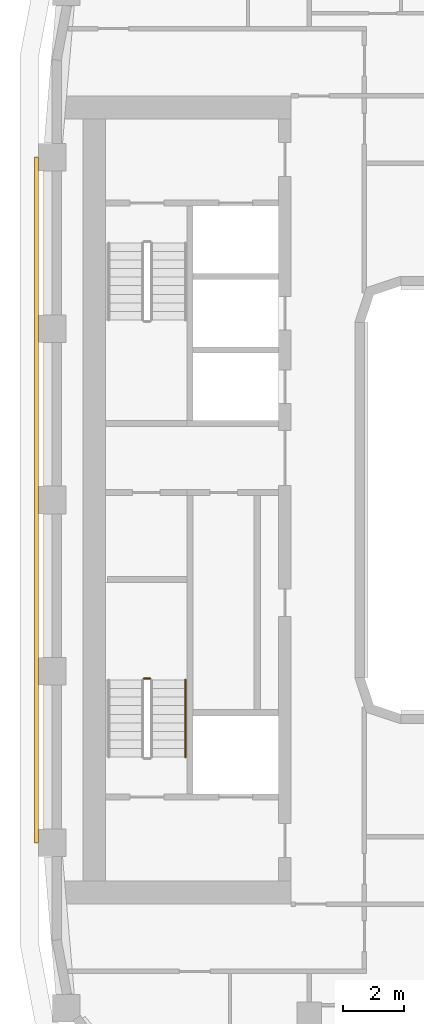
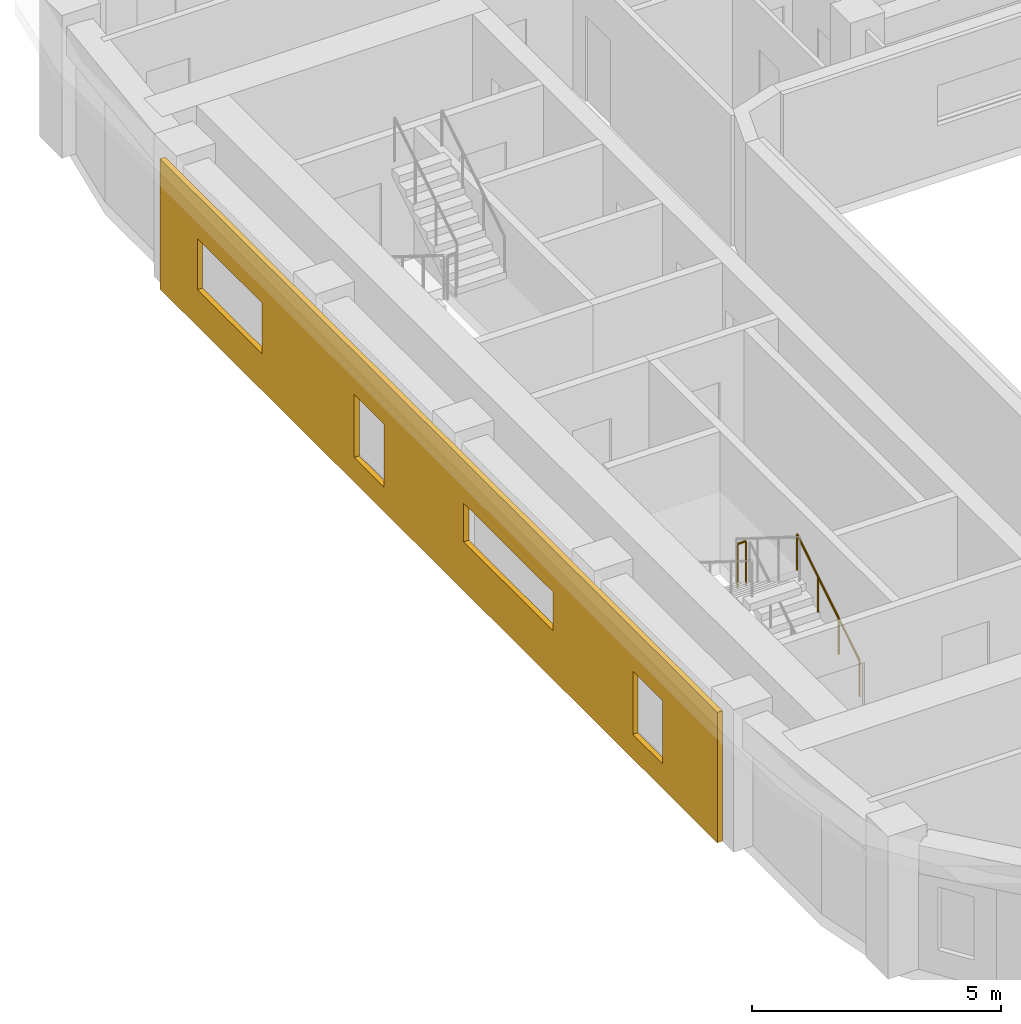
# One storey, part 12 of 21: 2 railings, 1 covering.
"""IFC4 building model written with IfcOpenShell, lengths in metres."""

import ifcopenshell
import ifcopenshell.guid

model = None  # the IFC model being written
_history = None  # IfcOwnerHistory: only IFC2X3 demands one
_inside = {}  # id of a spatial element -> (the spatial element, [elements in it])
_under = {}  # id of a project, library or spatial element -> (it, [spatial elements below it])
_declared = {}  # id of a project -> (the project, [libraries it declares])
_typed = {}  # id of a type object -> (the type object, [elements of that type])
_made_of = {}  # id of a material, layer set ... -> (it, [elements and type objects made of it])


def new_model(schema):
    """Start an empty IFC model of exactly this schema.

    Asked for "IFC4X3", IfcOpenShell would pick the latest addendum, in which some entities
    have other attributes; the version numbers below select the first issue.
    IFC2X3 requires an IfcOwnerHistory on every rooted entity: one is made here for all.
    """
    global model, _history
    if schema == "IFC4X3":
        model = ifcopenshell.file(schema_version=(4, 3, 0, 0))
    else:
        model = ifcopenshell.file(schema=schema)
    _inside.clear()
    _under.clear()
    _declared.clear()
    _typed.clear()
    _made_of.clear()
    _history = None
    if model.schema == "IFC2X3":
        org = make("IfcOrganization", Name="unknown")
        user = make(
            "IfcPersonAndOrganization",
            ThePerson=make("IfcPerson", FamilyName="unknown"),
            TheOrganization=org,
        )
        app = make(
            "IfcApplication",
            ApplicationDeveloper=org,
            Version="unknown",
            ApplicationFullName="unknown",
            ApplicationIdentifier="unknown",
        )
        _history = make(
            "IfcOwnerHistory",
            OwningUser=user,
            OwningApplication=app,
            ChangeAction="ADDED",
            CreationDate=0,
        )
    return model


def make(cls, **values):
    """One entity of the class cls with the attributes given. An attribute that is None is left unset."""
    return model.create_entity(
        cls, **{name: value for name, value in values.items() if value is not None}
    )


def rooted(cls, **values):
    """An entity with a GlobalId (a new one), such as an element, a storey or a relation."""
    return make(cls, GlobalId=ifcopenshell.guid.new(), OwnerHistory=_history, **values)


def si_unit(unit_type, name, prefix=None):
    """IfcSIUnit, for example si_unit("LENGTHUNIT", "METRE", prefix="MILLI")."""
    return make("IfcSIUnit", UnitType=unit_type, Prefix=prefix, Name=name)


def assignment(units):
    """IfcUnitAssignment: the units of a project."""
    return None if units is None else make("IfcUnitAssignment", Units=units)


def point(xyz):
    """IfcCartesianPoint."""
    return None if xyz is None else make("IfcCartesianPoint", Coordinates=xyz)


def direction(xyz):
    """IfcDirection."""
    return None if xyz is None else make("IfcDirection", DirectionRatios=xyz)


def frame(location, z_axis=None, x_axis=None):
    """IfcAxis2Placement3D, a coordinate frame: its origin and axes. An axis left out is left unset."""
    return make(
        "IfcAxis2Placement3D",
        Location=point(location),
        Axis=direction(z_axis),
        RefDirection=direction(x_axis),
    )


def frame_2d(location, x_axis=None):
    """IfcAxis2Placement2D, a coordinate frame in the plane: its origin and x axis."""
    return make(
        "IfcAxis2Placement2D", Location=point(location), RefDirection=direction(x_axis)
    )


def origin():
    """The frame at (0, 0, 0) with its axes left unset."""
    return frame((0.0, 0.0, 0.0))


def origin_2d():
    """The frame at (0, 0) in the plane with its x axis left unset."""
    return frame_2d((0.0, 0.0))


def place(relative_to, where):
    """IfcLocalPlacement: puts the frame where relative to a parent placement (None: the world)."""
    return make(
        "IfcLocalPlacement", PlacementRelTo=relative_to, RelativePlacement=where
    )


def context(
    kind, dimensions, precision=None, world=None, true_north=None, identifier=None
):
    """IfcGeometricRepresentationContext, for example the 3D "Model" context."""
    return make(
        "IfcGeometricRepresentationContext",
        ContextIdentifier=identifier,
        ContextType=kind,
        CoordinateSpaceDimension=dimensions,
        Precision=precision,
        WorldCoordinateSystem=world,
        TrueNorth=true_north,
    )


def subcontext(parent, identifier, kind, view, scale=None):
    """IfcGeometricRepresentationSubContext, for example "Body" below "Model"."""
    return make(
        "IfcGeometricRepresentationSubContext",
        ContextIdentifier=identifier,
        ContextType=kind,
        ParentContext=parent,
        TargetScale=scale,
        TargetView=view,
    )


def project(units=None, contexts=None):
    """IfcProject with its units and contexts."""
    return rooted(
        "IfcProject",
        Name="project",
        RepresentationContexts=contexts,
        UnitsInContext=assignment(units),
    )


def spatial(cls, under=None, at=None, **own):
    """A site, building, storey or space (cls), placed at a placement, below another one or the project."""
    s = rooted(cls, ObjectPlacement=at, **own)
    if under is not None:
        _under.setdefault(under.id(), (under, []))[1].append(s)
    return s


def polyline(points):
    """IfcPolyline through the points."""
    return make("IfcPolyline", Points=[point(p) for p in points])


def profile(cls, at=None, kind="AREA", **sizes):
    """A parametric profile (cls). Its sizes go by their IFC names, for example OverallWidth=200.0."""
    return make(cls, ProfileType=kind, Position=at, **sizes)


def circle(**sizes):
    """IfcCircleProfileDef."""
    return profile("IfcCircleProfileDef", **sizes)


def outline(outer, holes=None, kind="AREA"):
    """IfcArbitraryClosedProfileDef: a profile drawn as a closed curve; with holes, ...WithVoids."""
    if holes is None:
        return make("IfcArbitraryClosedProfileDef", ProfileType=kind, OuterCurve=outer)
    return make(
        "IfcArbitraryProfileDefWithVoids",
        ProfileType=kind,
        OuterCurve=outer,
        InnerCurves=holes,
    )


def extrude(swept, where, along, depth):
    """IfcExtrudedAreaSolid: the profile swept, set in the frame where, extruded along a direction by depth."""
    return make(
        "IfcExtrudedAreaSolid",
        SweptArea=swept,
        Position=where,
        ExtrudedDirection=direction(along),
        Depth=depth,
    )


def shape(context_of_items, identifier, shape_type, items):
    """IfcShapeRepresentation: the items that make up one representation, for example the "Body"."""
    return make(
        "IfcShapeRepresentation",
        ContextOfItems=context_of_items,
        RepresentationIdentifier=identifier,
        RepresentationType=shape_type,
        Items=items,
    )


def material(Name=None, Category=None):
    """IfcMaterial."""
    return make("IfcMaterial", Name=Name, Category=Category)


def layer(
    of_material, thickness, ventilated=None, Name=None, Category=None, Priority=None
):
    """IfcMaterialLayer: one layer of a wall or slab, of a material (None: an air gap)."""
    return make(
        "IfcMaterialLayer",
        Material=of_material,
        LayerThickness=thickness,
        IsVentilated=ventilated,
        Name=Name,
        Category=Category,
        Priority=Priority,
    )


def layer_set(layers, Name=None):
    """IfcMaterialLayerSet."""
    return make("IfcMaterialLayerSet", MaterialLayers=layers, LayerSetName=Name)


def made_of(thing, what):
    """Note that an element or type object is made of a material, layer set ...; save() writes the relation."""
    if what is not None:
        _made_of.setdefault(what.id(), (what, []))[1].append(thing)
    return thing


def type_object(cls, material=None, **own):
    """A type object (cls), such as IfcWallType, which elements share."""
    return made_of(rooted(cls, **own), material)


def element(
    cls,
    number,
    at=None,
    inside=None,
    cuts=None,
    type_object=None,
    material=None,
    context=None,
    identifier="Body",
    shape_type=None,
    held_by="IfcProductDefinitionShape",
    body=None,
    shapes=None,
    **own,
):
    """One element of the class cls, such as IfcWall. Its Tag is "e" and its number.

    at: its placement. inside: the storey or other place that contains it. cuts: it is an
    opening in that element (IfcRelVoidsElement). A single representation is given by context,
    identifier, shape_type and body (its items); several are given by shapes. held_by: the class
    of the entity that holds the representations. save() writes the other relations.
    """
    e = rooted(cls, Tag="e%d" % number, ObjectPlacement=at, **own)
    if body is not None:
        shapes = [shape(context, identifier, shape_type, body)]
    if shapes is not None:
        e.Representation = make(held_by, Representations=shapes)
    if inside is not None:
        _inside.setdefault(inside.id(), (inside, []))[1].append(e)
    if cuts is not None:
        rooted(
            "IfcRelVoidsElement", RelatingBuildingElement=cuts, RelatedOpeningElement=e
        )
    if type_object is not None:
        _typed.setdefault(type_object.id(), (type_object, []))[1].append(e)
    return made_of(e, material)


def aggregate(whole, parts):
    """IfcRelAggregates: a whole, such as a stair, and the parts it consists of."""
    return rooted("IfcRelAggregates", RelatingObject=whole, RelatedObjects=parts)


def save(model, path):
    """Write the relations noted so far, then the file.

    IfcRelAggregates (storeys below a building ...), IfcRelContainedInSpatialStructure (elements
    in a storey), IfcRelDefinesByType, IfcRelAssociatesMaterial and IfcRelDeclares: one each for
    every whole, place, type object, material and project.
    """
    for whole, parts in _under.values():
        aggregate(whole, parts)
    for where, things in _inside.values():
        rooted(
            "IfcRelContainedInSpatialStructure",
            RelatedElements=things,
            RelatingStructure=where,
        )
    for kind, things in _typed.values():
        rooted("IfcRelDefinesByType", RelatedObjects=things, RelatingType=kind)
    for what, things in _made_of.values():
        rooted("IfcRelAssociatesMaterial", RelatedObjects=things, RelatingMaterial=what)
    for by, libraries in _declared.values():
        rooted("IfcRelDeclares", RelatingContext=by, RelatedDefinitions=libraries)
    model.write(path)


model = new_model("IFC4")

# Units and contexts
model_context = context("Model", 3, precision=1e-05, world=origin(), true_north=direction((0.0, 1.0)))
body_context = subcontext(model_context, "Body", "Model", "MODEL_VIEW")
ifc_project = project(units=[si_unit("LENGTHUNIT", "METRE"), si_unit("AREAUNIT", "SQUARE_METRE"), si_unit("VOLUMEUNIT", "CUBIC_METRE"), si_unit("PLANEANGLEUNIT", "RADIAN"), si_unit("MASSUNIT", "GRAM", prefix="KILO")], contexts=[model_context])

# Site, building, storey
site_placement = place(None, origin())
site = spatial("IfcSite", under=ifc_project, at=site_placement, CompositionType="ELEMENT")
building_placement = place(site_placement, origin())
building = spatial("IfcBuilding", under=site, at=building_placement, Name="Kiln Ring Residences", CompositionType="ELEMENT")
storey_placement = place(building_placement, frame((0.0, 0.0, 202.89990234375)))
storey = spatial("IfcBuildingStorey", under=building, at=storey_placement, Name="L52", CompositionType="ELEMENT", Elevation=202.89990234375)

# Railings
ifc_material_1 = material(Name="Stainless steel", Category="steel")
railing_type_1 = type_object("IfcRailingType", Name="CORE-STAIR-GUARD", PredefinedType="GUARDRAIL", material=ifc_material_1)
railing_1_placement = place(storey_placement, frame((-22.0, -5.830078125, 1.75)))
element("IfcRailing", 1, at=railing_1_placement, inside=storey, type_object=railing_type_1, Name="L52 W-STS stair guard 2", PredefinedType="GUARDRAIL", context=body_context, shape_type="SweptSolid", body=[
    extrude(circle(Radius=0.02392578125, at=origin_2d()), frame((0.0, 0.0, 1.076171875), z_axis=(-1.0, 0.0, 0.0), x_axis=(0.0, -1.0, 0.0)), (0.0, 0.0, 1.0), 0.199951171875),
    extrude(circle(Radius=0.02099609375, at=origin_2d()), origin(), (0.0, 0.0, 1.0), 1.052001953125),
    extrude(circle(Radius=0.02099609375, at=origin_2d()), frame((-0.199951171875, 0.0, 0.0)), (0.0, 0.0, 1.0), 1.052001953125),
])
ifc_material_2 = material(Name="Stainless steel", Category="steel")
railing_type_2 = type_object("IfcRailingType", Name="CORE-STAIR-HANDRAIL", PredefinedType="HANDRAIL", material=ifc_material_2)
railing_2_placement = place(storey_placement, frame((-20.85009765625, -8.39990234375, 0.175048828125)))
element("IfcRailing", 2, at=railing_2_placement, inside=storey, type_object=railing_type_2, Name="L52 W-STS stair handrail 1", PredefinedType="HANDRAIL", context=body_context, shape_type="SweptSolid", body=[
    extrude(circle(Radius=0.02392578125, at=origin_2d()), frame((0.0, 0.0, 0.8759765625), z_axis=(0.0, 0.848007534815, 0.529984170421), x_axis=(-1.0, 0.0, 0.0)), (0.0, 0.0, 1.0), 2.9716796875),
    extrude(circle(Radius=0.02099609375, at=origin_2d()), origin(), (0.0, 0.0, 1.0), 0.851806640625),
    extrude(circle(Radius=0.02099609375, at=origin_2d()), frame((0.0, 0.840087890625, 0.52490234375)), (0.0, 0.0, 1.0), 0.851806640625),
    extrude(circle(Radius=0.02099609375, at=origin_2d()), frame((0.0, 1.679931640625, 1.050048828125)), (0.0, 0.0, 1.0), 0.851806640625),
    extrude(circle(Radius=0.02099609375, at=origin_2d()), frame((0.0, 2.52001953125, 1.574951171875)), (0.0, 0.0, 1.0), 0.851806640625),
])

# Covering
ifc_material_3 = material(Name="Brick masonry, dark clay brick", Category="masonry")
ifc_layer = layer(ifc_material_3, 0.1201171875)
ifc_layer_set = layer_set([ifc_layer], Name="RAINSCREEN PANEL 120")
covering_type = type_object("IfcCoveringType", Name="RAINSCREEN PANEL 120", PredefinedType="CLADDING", material=ifc_layer_set)
covering_placement = place(storey_placement, frame((-25.7099609375, 11.199951171875, 0.0), z_axis=(0.0, 0.0, 1.0), x_axis=(0.0, -1.0, 0.0)))
element("IfcCovering", 3, at=covering_placement, inside=storey, type_object=covering_type, Name="RAINSCREEN L52", PredefinedType="CLADDING", context=body_context, shape_type="SweptSolid", body=[
    extrude(outline(polyline([(0.0, 0.0), (22.39990234375, 0.0), (22.39990234375, 3.2001953125), (0.0, 3.2001953125), (0.0, 0.0)]), holes=[polyline([(9.0, 0.60009765625), (9.0, 2.150146484375), (7.800048828125, 2.150146484375), (7.800048828125, 0.60009765625), (9.0, 0.60009765625)]), polyline([(20.199951171875, 0.60009765625), (20.199951171875, 2.150146484375), (19.0, 2.150146484375), (19.0, 0.60009765625), (20.199951171875, 0.60009765625)]), polyline([(4.10009765625, 0.900146484375), (4.10009765625, 2.150146484375), (1.5, 2.150146484375), (1.5, 0.900146484375), (4.10009765625, 0.900146484375)]), polyline([(15.800048828125, 1.2001953125), (15.800048828125, 2.150146484375), (12.199951171875, 2.150146484375), (12.199951171875, 1.2001953125), (15.800048828125, 1.2001953125)])]), frame((0.0, 0.06005859375, 0.0), z_axis=(0.0, -1.0, 0.0), x_axis=(1.0, 0.0, 0.0)), (0.0, 0.0, 1.0), 0.1201171875),
])

save(model, "model.ifc")
